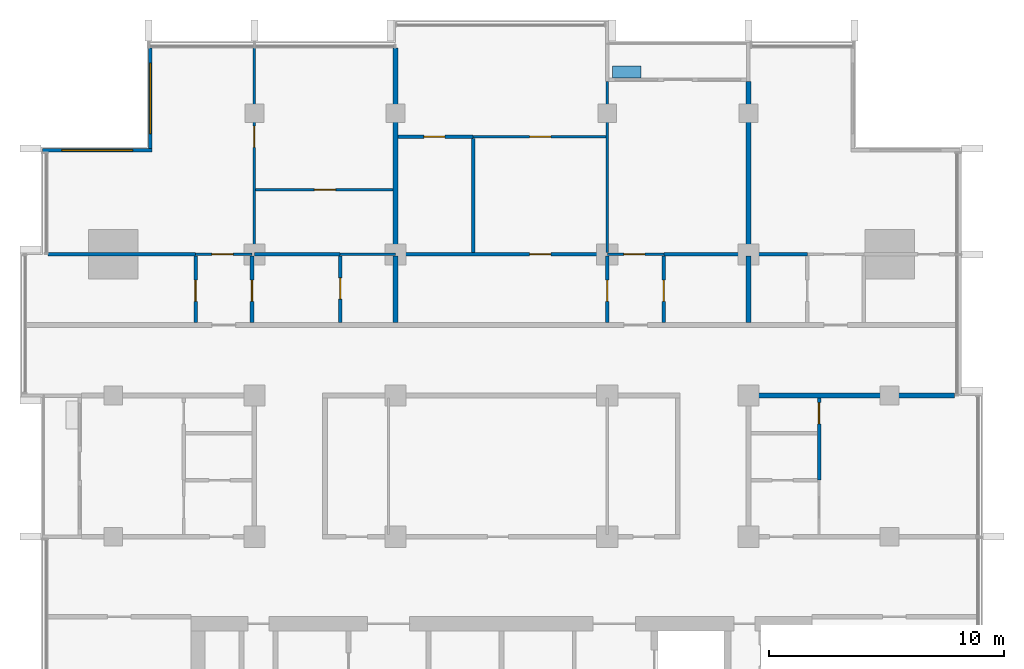
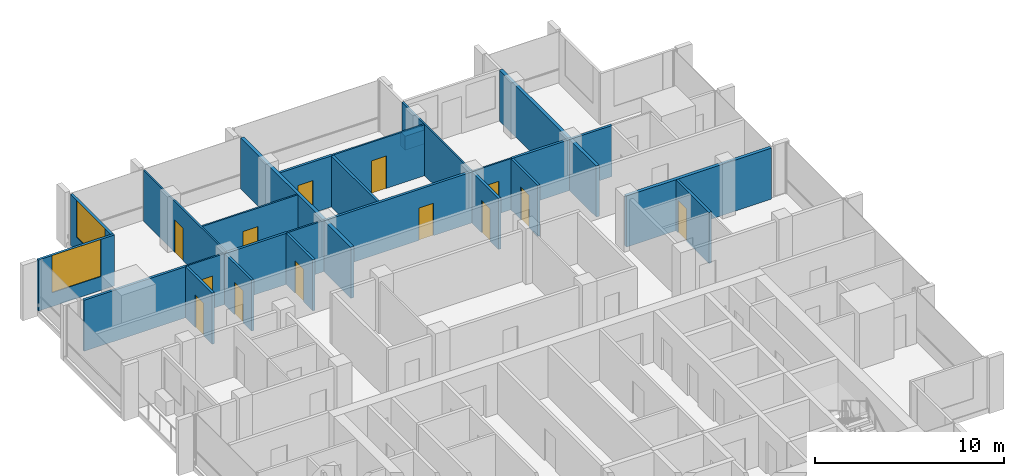
# One storey, part 10 of 16: 27 walls, 13 doors, 2 windows, 15 openings.
"""IFC4 building model written with IfcOpenShell, lengths in metres."""

from ifc_helpers import new_model, si_unit, direction, frame, frame_2d, origin, place, context, subcontext, project, spatial, rectangle, extrude, material, layer, layer_set, type_object, element, fill, save


model = new_model("IFC4")

# Units and contexts
model_context = context("Model", 3, precision=1e-05, world=origin(), true_north=direction((0.0, 1.0)))
body_context = subcontext(model_context, "Body", "Model", "MODEL_VIEW")
ifc_project = project(units=[si_unit("LENGTHUNIT", "METRE"), si_unit("AREAUNIT", "SQUARE_METRE"), si_unit("VOLUMEUNIT", "CUBIC_METRE"), si_unit("PLANEANGLEUNIT", "RADIAN"), si_unit("MASSUNIT", "GRAM", prefix="KILO")], contexts=[model_context])

# Site, building, storey
site_placement = place(None, origin())
site = spatial("IfcSite", under=ifc_project, at=site_placement, CompositionType="ELEMENT")
building_placement = place(site_placement, origin())
building = spatial("IfcBuilding", under=site, at=building_placement, Name="Finial Court Residences", CompositionType="ELEMENT")
storey_placement = place(building_placement, frame((0.0, 0.0, 233.89990234375)))
storey = spatial("IfcBuildingStorey", under=building, at=storey_placement, Name="L59", CompositionType="ELEMENT", Elevation=233.89990234375)

# Walls
ifc_material_1 = material(Name="Gypsum board")
ifc_layer_1 = layer(ifc_material_1, 0.02490234375)
ifc_material_2 = material(Name="Acoustic mineral wool in double frame")
ifc_layer_2 = layer(ifc_material_2, 0.14990234375)
ifc_layer_3 = layer(ifc_material_1, 0.02490234375)
ifc_layer_set_1 = layer_set([ifc_layer_1, ifc_layer_2, ifc_layer_3], Name="Acoustic party wall 200, 1 hour")
wall_type_1 = type_object("IfcWallType", Name="Acoustic party wall 200, 1 hour", PredefinedType="PARTITIONING", material=ifc_layer_set_1)
wall_1_placement = place(storey_placement, frame((-4.5, 4.60009765625, 0.0), z_axis=(0.0, 0.0, 1.0), x_axis=(0.0, 1.0, 0.0)))
element("IfcWall", 1, at=wall_1_placement, inside=storey, type_object=wall_type_1, Name="Partition L59-039", PredefinedType="PARTITIONING", context=body_context, shape_type="SweptSolid", body=[
    extrude(rectangle(XDim=2.824951171875, YDim=0.199951171875, at=frame_2d((1.41259765625, 0.0))), origin(), (0.0, 0.0, 1.0), 3.300048828125),
])
wall_2_placement = place(storey_placement, frame((-4.5, 7.574951171875, 0.0), z_axis=(0.0, 0.0, 1.0), x_axis=(0.0, 1.0, 0.0)))
element("IfcWall", 2, at=wall_2_placement, inside=storey, type_object=wall_type_1, Name="Partition L59-040", PredefinedType="PARTITIONING", context=body_context, shape_type="SweptSolid", body=[
    extrude(rectangle(XDim=8.6875, YDim=0.199951171875, at=frame_2d((4.34375, 0.0))), origin(), (0.0, 0.0, 1.0), 3.300048828125),
])
wall_3_placement = place(storey_placement, frame((10.5, 4.60009765625, 0.0), z_axis=(0.0, 0.0, 1.0), x_axis=(0.0, 1.0, 0.0)))
element("IfcWall", 3, at=wall_3_placement, inside=storey, type_object=wall_type_1, Name="Partition L59-048", PredefinedType="PARTITIONING", context=body_context, shape_type="SweptSolid", body=[
    extrude(rectangle(XDim=2.824951171875, YDim=0.199951171875, at=frame_2d((1.41259765625, 0.0))), origin(), (0.0, 0.0, 1.0), 3.300048828125),
])
wall_4_placement = place(storey_placement, frame((10.5, 7.574951171875, 0.0), z_axis=(0.0, 0.0, 1.0), x_axis=(0.0, 1.0, 0.0)))
element("IfcWall", 4, at=wall_4_placement, inside=storey, type_object=wall_type_1, Name="Partition L59-049", PredefinedType="PARTITIONING", context=body_context, shape_type="SweptSolid", body=[
    extrude(rectangle(XDim=7.275146484375, YDim=0.199951171875, at=frame_2d((3.6376953125, 0.0))), origin(), (0.0, 0.0, 1.0), 3.300048828125),
])
ifc_layer_4 = layer(ifc_material_1, 0.02490234375)
ifc_layer_5 = layer(ifc_material_2, 0.14990234375)
ifc_layer_6 = layer(ifc_material_1, 0.02490234375)
ifc_layer_set_2 = layer_set([ifc_layer_4, ifc_layer_5, ifc_layer_6], Name="Corridor wall 200, 1 hour")
wall_type_2 = type_object("IfcWallType", Name="Corridor wall 200, 1 hour", PredefinedType="PARTITIONING", material=ifc_layer_set_2)
wall_5_placement = place(storey_placement, frame((10.39990234375, 1.5, 0.0), z_axis=(0.0, 0.0, 1.0), x_axis=(1.0, 0.0, 0.0)))
element("IfcWall", 5, at=wall_5_placement, inside=storey, type_object=wall_type_2, Name="Partition L59-015", PredefinedType="PARTITIONING", context=body_context, shape_type="SweptSolid", body=[
    extrude(rectangle(XDim=8.862548828125, YDim=0.199951171875, at=frame_2d((4.43115234375, 0.0))), origin(), (0.0, 0.0, 1.0), 3.300048828125),
])

# Wall, opening, door
ifc_layer_7 = layer(ifc_material_1, 0.012451171875)
ifc_material_3 = material(Name="Mineral wool in light-gauge frame")
ifc_layer_8 = layer(ifc_material_3, 0.074951171875)
ifc_layer_9 = layer(ifc_material_1, 0.012451171875)
ifc_layer_set_3 = layer_set([ifc_layer_7, ifc_layer_8, ifc_layer_9], Name="Gypsum board partition 100")
wall_type_3 = type_object("IfcWallType", Name="Gypsum board partition 100", PredefinedType="PARTITIONING", material=ifc_layer_set_3)
wall_6_placement = place(storey_placement, frame((-13.0, 7.5, 0.0), z_axis=(0.0, 0.0, 1.0), x_axis=(1.0, 0.0, 0.0)))
wall_6 = element("IfcWall", 6, at=wall_6_placement, inside=storey, type_object=wall_type_3, Name="Partition L59-017", PredefinedType="PARTITIONING", context=body_context, shape_type="SweptSolid", body=[
    extrude(rectangle(XDim=2.39990234375, YDim=0.10009765625, at=frame_2d((1.199951171875, 0.0))), origin(), (0.0, 0.0, 1.0), 3.300048828125),
])
opening_1_placement = place(wall_6_placement, frame((0.699951171875, 0.0, 0.0)))
opening_1 = element("IfcOpeningElement", 7, at=opening_1_placement, cuts=wall_6, Name="Opening L59-D019", PredefinedType="OPENING", context=body_context, shape_type="SweptSolid", body=[
    extrude(rectangle(XDim=0.89990234375, YDim=2.10009765625, at=frame_2d((0.449951171875, 1.050048828125))), frame((0.0, 0.06005859375, 0.0), z_axis=(0.0, -1.0, 0.0), x_axis=(1.0, 0.0, 0.0)), (0.0, 0.0, 1.0), 0.1201171875),
])
ifc_material_4 = material(Name="Timber door leaf in timber frame", Category="wood")
door_type = type_object("IfcDoorType", Name="Door set 900 x 2100", OperationType="SINGLE_SWING_LEFT", PredefinedType="DOOR", material=ifc_material_4)
door_1_placement = place(opening_1_placement, origin())
door_1 = element("IfcDoor", 8, at=door_1_placement, inside=storey, type_object=door_type, Name="Door L59-D019", OperationType="SINGLE_SWING_RIGHT", OverallHeight=2.10009765625, OverallWidth=0.89990234375, PredefinedType="DOOR", context=body_context, shape_type="SweptSolid", body=[
    extrude(rectangle(XDim=0.89990234375, YDim=2.10009765625, at=frame_2d((0.449951171875, 1.050048828125))), frame((0.0, 0.02490234375, 0.0), z_axis=(0.0, -1.0, 0.0), x_axis=(1.0, 0.0, 0.0)), (0.0, 0.0, 1.0), 0.050048828125),
])
fill(opening_1, door_1)

# Wall
wall_7_placement = place(storey_placement, frame((-6.85009765625, 7.5, 0.0), z_axis=(0.0, 0.0, 1.0), x_axis=(1.0, 0.0, 0.0)))
element("IfcWall", 9, at=wall_7_placement, inside=storey, type_object=wall_type_3, Name="Partition L59-018", PredefinedType="PARTITIONING", context=body_context, shape_type="SweptSolid", body=[
    extrude(rectangle(XDim=2.35009765625, YDim=0.10009765625, at=frame_2d((1.175048828125, 0.0))), origin(), (0.0, 0.0, 1.0), 3.300048828125),
])

# Wall, opening, door
wall_8_placement = place(storey_placement, frame((4.5, 7.5, 0.0), z_axis=(0.0, 0.0, 1.0), x_axis=(1.0, 0.0, 0.0)))
wall_8 = element("IfcWall", 10, at=wall_8_placement, inside=storey, type_object=wall_type_3, Name="Partition L59-019", PredefinedType="PARTITIONING", context=body_context, shape_type="SweptSolid", body=[
    extrude(rectangle(XDim=2.39990234375, YDim=0.10009765625, at=frame_2d((1.199951171875, 0.0))), origin(), (0.0, 0.0, 1.0), 3.300048828125),
])
opening_2_placement = place(wall_8_placement, frame((0.699951171875, 0.0, 0.0)))
opening_2 = element("IfcOpeningElement", 11, at=opening_2_placement, cuts=wall_8, Name="Opening L59-D020", PredefinedType="OPENING", context=body_context, shape_type="SweptSolid", body=[
    extrude(rectangle(XDim=0.89990234375, YDim=2.10009765625, at=frame_2d((0.449951171875, 1.050048828125))), frame((0.0, 0.06005859375, 0.0), z_axis=(0.0, -1.0, 0.0), x_axis=(1.0, 0.0, 0.0)), (0.0, 0.0, 1.0), 0.1201171875),
])
door_2_placement = place(opening_2_placement, origin())
door_2 = element("IfcDoor", 12, at=door_2_placement, inside=storey, type_object=door_type, Name="Door L59-D020", OperationType="SINGLE_SWING_LEFT", OverallHeight=2.10009765625, OverallWidth=0.89990234375, PredefinedType="DOOR", context=body_context, shape_type="SweptSolid", body=[
    extrude(rectangle(XDim=0.89990234375, YDim=2.10009765625, at=frame_2d((0.449951171875, 1.050048828125))), frame((0.0, 0.02490234375, 0.0), z_axis=(0.0, -1.0, 0.0), x_axis=(1.0, 0.0, 0.0)), (0.0, 0.0, 1.0), 0.050048828125),
])
fill(opening_2, door_2)

wall_9_placement = place(storey_placement, frame((-10.449951171875, 10.25, 0.0), z_axis=(0.0, 0.0, 1.0), x_axis=(1.0, 0.0, 0.0)))
wall_9 = element("IfcWall", 13, at=wall_9_placement, inside=storey, type_object=wall_type_3, Name="Partition L59-026", PredefinedType="PARTITIONING", context=body_context, shape_type="SweptSolid", body=[
    extrude(rectangle(XDim=5.849853515625, YDim=0.10009765625, at=frame_2d((2.9248046875, 0.0))), origin(), (0.0, 0.0, 1.0), 3.300048828125),
])
opening_3_placement = place(wall_9_placement, frame((2.5, 0.0, 0.0)))
opening_3 = element("IfcOpeningElement", 14, at=opening_3_placement, cuts=wall_9, Name="Opening L59-D024", PredefinedType="OPENING", context=body_context, shape_type="SweptSolid", body=[
    extrude(rectangle(XDim=0.89990234375, YDim=2.10009765625, at=frame_2d((0.449951171875, 1.050048828125))), frame((0.0, 0.06005859375, 0.0), z_axis=(0.0, -1.0, 0.0), x_axis=(1.0, 0.0, 0.0)), (0.0, 0.0, 1.0), 0.1201171875),
])
door_3_placement = place(opening_3_placement, origin())
door_3 = element("IfcDoor", 15, at=door_3_placement, inside=storey, type_object=door_type, Name="Door L59-D024", OperationType="SINGLE_SWING_LEFT", OverallHeight=2.10009765625, OverallWidth=0.89990234375, PredefinedType="DOOR", context=body_context, shape_type="SweptSolid", body=[
    extrude(rectangle(XDim=0.89990234375, YDim=2.10009765625, at=frame_2d((0.449951171875, 1.050048828125))), frame((0.0, 0.02490234375, 0.0), z_axis=(0.0, -1.0, 0.0), x_axis=(1.0, 0.0, 0.0)), (0.0, 0.0, 1.0), 0.050048828125),
])
fill(opening_3, door_3)

wall_10_placement = place(storey_placement, frame((-1.199951171875, 12.5, 0.0), z_axis=(0.0, 0.0, 1.0), x_axis=(1.0, 0.0, 0.0)))
wall_10 = element("IfcWall", 16, at=wall_10_placement, inside=storey, type_object=wall_type_3, Name="Partition L59-027", PredefinedType="PARTITIONING", context=body_context, shape_type="SweptSolid", body=[
    extrude(rectangle(XDim=5.64990234375, YDim=0.10009765625, at=frame_2d((2.824951171875, 0.0))), origin(), (0.0, 0.0, 1.0), 3.300048828125),
])
opening_4_placement = place(wall_10_placement, frame((2.39990234375, 0.0, 0.0)))
opening_4 = element("IfcOpeningElement", 17, at=opening_4_placement, cuts=wall_10, Name="Opening L59-D025", PredefinedType="OPENING", context=body_context, shape_type="SweptSolid", body=[
    extrude(rectangle(XDim=0.89990234375, YDim=2.10009765625, at=frame_2d((0.449951171875, 1.050048828125))), frame((0.0, 0.06005859375, 0.0), z_axis=(0.0, -1.0, 0.0), x_axis=(1.0, 0.0, 0.0)), (0.0, 0.0, 1.0), 0.1201171875),
])
door_4_placement = place(opening_4_placement, origin())
door_4 = element("IfcDoor", 18, at=door_4_placement, inside=storey, type_object=door_type, Name="Door L59-D025", OperationType="SINGLE_SWING_RIGHT", OverallHeight=2.10009765625, OverallWidth=0.89990234375, PredefinedType="DOOR", context=body_context, shape_type="SweptSolid", body=[
    extrude(rectangle(XDim=0.89990234375, YDim=2.10009765625, at=frame_2d((0.449951171875, 1.050048828125))), frame((0.0, 0.02490234375, 0.0), z_axis=(0.0, -1.0, 0.0), x_axis=(1.0, 0.0, 0.0)), (0.0, 0.0, 1.0), 0.050048828125),
])
fill(opening_4, door_4)

wall_11_placement = place(storey_placement, frame((-10.5, 7.574951171875, 0.0), z_axis=(0.0, 0.0, 1.0), x_axis=(0.0, 1.0, 0.0)))
wall_11 = element("IfcWall", 19, at=wall_11_placement, inside=storey, type_object=wall_type_3, Name="Partition L59-035", PredefinedType="PARTITIONING", context=body_context, shape_type="SweptSolid", body=[
    extrude(rectangle(XDim=8.6875, YDim=0.10009765625, at=frame_2d((4.34375, 0.0))), origin(), (0.0, 0.0, 1.0), 3.300048828125),
])
opening_5_placement = place(wall_11_placement, frame((4.47509765625, 0.0, 0.0)))
opening_5 = element("IfcOpeningElement", 20, at=opening_5_placement, cuts=wall_11, Name="Opening L59-D031", PredefinedType="OPENING", context=body_context, shape_type="SweptSolid", body=[
    extrude(rectangle(XDim=0.89990234375, YDim=2.10009765625, at=frame_2d((0.449951171875, 1.050048828125))), frame((0.0, 0.06005859375, 0.0), z_axis=(0.0, -1.0, 0.0), x_axis=(1.0, 0.0, 0.0)), (0.0, 0.0, 1.0), 0.1201171875),
])
door_5_placement = place(opening_5_placement, origin())
door_5 = element("IfcDoor", 21, at=door_5_placement, inside=storey, type_object=door_type, Name="Door L59-D031", OperationType="SINGLE_SWING_RIGHT", OverallHeight=2.10009765625, OverallWidth=0.89990234375, PredefinedType="DOOR", context=body_context, shape_type="SweptSolid", body=[
    extrude(rectangle(XDim=0.89990234375, YDim=2.10009765625, at=frame_2d((0.449951171875, 1.050048828125))), frame((0.0, 0.02490234375, 0.0), z_axis=(0.0, -1.0, 0.0), x_axis=(1.0, 0.0, 0.0)), (0.0, 0.0, 1.0), 0.050048828125),
])
fill(opening_5, door_5)

# Walls
wall_12_placement = place(storey_placement, frame((4.5, 7.574951171875, 0.0), z_axis=(0.0, 0.0, 1.0), x_axis=(0.0, 1.0, 0.0)))
element("IfcWall", 22, at=wall_12_placement, inside=storey, type_object=wall_type_3, Name="Partition L59-043", PredefinedType="PARTITIONING", context=body_context, shape_type="SweptSolid", body=[
    extrude(rectangle(XDim=7.275146484375, YDim=0.10009765625, at=frame_2d((3.6376953125, 0.0))), origin(), (0.0, 0.0, 1.0), 3.300048828125),
])
ifc_material_5 = material(Name="Moisture-resistant gypsum board")
ifc_layer_10 = layer(ifc_material_5, 0.012451171875)
ifc_layer_11 = layer(ifc_material_3, 0.125)
ifc_layer_12 = layer(ifc_material_5, 0.012451171875)
ifc_layer_set_4 = layer_set([ifc_layer_10, ifc_layer_11, ifc_layer_12], Name="Gypsum board wet-area partition 150")
wall_type_4 = type_object("IfcWallType", Name="Gypsum board wet-area partition 150", PredefinedType="PARTITIONING", material=ifc_layer_set_4)
wall_13_placement = place(storey_placement, frame((-19.262451171875, 7.5, 0.0), z_axis=(0.0, 0.0, 1.0), x_axis=(1.0, 0.0, 0.0)))
element("IfcWall", 23, at=wall_13_placement, inside=storey, type_object=wall_type_4, Name="Partition L59-021", PredefinedType="PARTITIONING", context=body_context, shape_type="SweptSolid", body=[
    extrude(rectangle(XDim=6.262451171875, YDim=0.14990234375, at=frame_2d((3.13134765625, 0.0))), origin(), (0.0, 0.0, 1.0), 3.300048828125),
])
wall_14_placement = place(storey_placement, frame((-10.5, 7.5, 0.0), z_axis=(0.0, 0.0, 1.0), x_axis=(1.0, 0.0, 0.0)))
element("IfcWall", 24, at=wall_14_placement, inside=storey, type_object=wall_type_4, Name="Partition L59-022", PredefinedType="PARTITIONING", context=body_context, shape_type="SweptSolid", body=[
    extrude(rectangle(XDim=3.64990234375, YDim=0.14990234375, at=frame_2d((1.824951171875, 0.0))), origin(), (0.0, 0.0, 1.0), 3.300048828125),
])

# Wall, opening, door
wall_15_placement = place(storey_placement, frame((-4.5, 7.5, 0.0), z_axis=(0.0, 0.0, 1.0), x_axis=(1.0, 0.0, 0.0)))
wall_15 = element("IfcWall", 25, at=wall_15_placement, inside=storey, type_object=wall_type_4, Name="Partition L59-023", PredefinedType="PARTITIONING", context=body_context, shape_type="SweptSolid", body=[
    extrude(rectangle(XDim=9.0, YDim=0.14990234375, at=frame_2d((4.5, 0.0))), origin(), (0.0, 0.0, 1.0), 3.300048828125),
])
opening_6_placement = place(wall_15_placement, frame((5.699951171875, 0.0, 0.0)))
opening_6 = element("IfcOpeningElement", 26, at=opening_6_placement, cuts=wall_15, Name="Opening L59-D022", PredefinedType="OPENING", context=body_context, shape_type="SweptSolid", body=[
    extrude(rectangle(XDim=0.89990234375, YDim=2.10009765625, at=frame_2d((0.449951171875, 1.050048828125))), frame((0.0, 0.0849609375, 0.0), z_axis=(0.0, -1.0, 0.0), x_axis=(1.0, 0.0, 0.0)), (0.0, 0.0, 1.0), 0.169921875),
])
door_6_placement = place(opening_6_placement, origin())
door_6 = element("IfcDoor", 27, at=door_6_placement, inside=storey, type_object=door_type, Name="Door L59-D022", OperationType="SINGLE_SWING_LEFT", OverallHeight=2.10009765625, OverallWidth=0.89990234375, PredefinedType="DOOR", context=body_context, shape_type="SweptSolid", body=[
    extrude(rectangle(XDim=0.89990234375, YDim=2.10009765625, at=frame_2d((0.449951171875, 1.050048828125))), frame((0.0, 0.02490234375, 0.0), z_axis=(0.0, -1.0, 0.0), x_axis=(1.0, 0.0, 0.0)), (0.0, 0.0, 1.0), 0.050048828125),
])
fill(opening_6, door_6)

# Wall
wall_16_placement = place(storey_placement, frame((6.89990234375, 7.5, 0.0), z_axis=(0.0, 0.0, 1.0), x_axis=(1.0, 0.0, 0.0)))
element("IfcWall", 28, at=wall_16_placement, inside=storey, type_object=wall_type_4, Name="Partition L59-024", PredefinedType="PARTITIONING", context=body_context, shape_type="SweptSolid", body=[
    extrude(rectangle(XDim=6.10009765625, YDim=0.14990234375, at=frame_2d((3.050048828125, 0.0))), origin(), (0.0, 0.0, 1.0), 3.300048828125),
])

# Wall, opening, door
wall_17_placement = place(storey_placement, frame((-4.39990234375, 12.5, 0.0), z_axis=(0.0, 0.0, 1.0), x_axis=(1.0, 0.0, 0.0)))
wall_17 = element("IfcWall", 29, at=wall_17_placement, inside=storey, type_object=wall_type_4, Name="Partition L59-028", PredefinedType="PARTITIONING", context=body_context, shape_type="SweptSolid", body=[
    extrude(rectangle(XDim=3.199951171875, YDim=0.14990234375, at=frame_2d((1.60009765625, 0.0))), origin(), (0.0, 0.0, 1.0), 3.300048828125),
])
opening_7_placement = place(wall_17_placement, frame((1.10009765625, 0.0, 0.0)))
opening_7 = element("IfcOpeningElement", 30, at=opening_7_placement, cuts=wall_17, Name="Opening L59-D026", PredefinedType="OPENING", context=body_context, shape_type="SweptSolid", body=[
    extrude(rectangle(XDim=0.89990234375, YDim=2.10009765625, at=frame_2d((0.449951171875, 1.050048828125))), frame((0.0, 0.0849609375, 0.0), z_axis=(0.0, -1.0, 0.0), x_axis=(1.0, 0.0, 0.0)), (0.0, 0.0, 1.0), 0.169921875),
])
door_7_placement = place(opening_7_placement, origin())
door_7 = element("IfcDoor", 31, at=door_7_placement, inside=storey, type_object=door_type, Name="Door L59-D026", OperationType="SINGLE_SWING_RIGHT", OverallHeight=2.10009765625, OverallWidth=0.89990234375, PredefinedType="DOOR", context=body_context, shape_type="SweptSolid", body=[
    extrude(rectangle(XDim=0.89990234375, YDim=2.10009765625, at=frame_2d((0.449951171875, 1.050048828125))), frame((0.0, 0.02490234375, 0.0), z_axis=(0.0, -1.0, 0.0), x_axis=(1.0, 0.0, 0.0)), (0.0, 0.0, 1.0), 0.050048828125),
])
fill(opening_7, door_7)

wall_18_placement = place(storey_placement, frame((-13.0, 4.60009765625, 0.0), z_axis=(0.0, 0.0, 1.0), x_axis=(0.0, 1.0, 0.0)))
wall_18 = element("IfcWall", 32, at=wall_18_placement, inside=storey, type_object=wall_type_4, Name="Partition L59-032", PredefinedType="PARTITIONING", context=body_context, shape_type="SweptSolid", body=[
    extrude(rectangle(XDim=2.824951171875, YDim=0.14990234375, at=frame_2d((1.41259765625, 0.0))), origin(), (0.0, 0.0, 1.0), 3.300048828125),
])
opening_8_placement = place(wall_18_placement, frame((0.89990234375, 0.0, 0.0)))
opening_8 = element("IfcOpeningElement", 33, at=opening_8_placement, cuts=wall_18, Name="Opening L59-D029", PredefinedType="OPENING", context=body_context, shape_type="SweptSolid", body=[
    extrude(rectangle(XDim=0.89990234375, YDim=2.10009765625, at=frame_2d((0.449951171875, 1.050048828125))), frame((0.0, 0.0849609375, 0.0), z_axis=(0.0, -1.0, 0.0), x_axis=(1.0, 0.0, 0.0)), (0.0, 0.0, 1.0), 0.169921875),
])
door_8_placement = place(opening_8_placement, origin())
door_8 = element("IfcDoor", 34, at=door_8_placement, inside=storey, type_object=door_type, Name="Door L59-D029", OperationType="SINGLE_SWING_LEFT", OverallHeight=2.10009765625, OverallWidth=0.89990234375, PredefinedType="DOOR", context=body_context, shape_type="SweptSolid", body=[
    extrude(rectangle(XDim=0.89990234375, YDim=2.10009765625, at=frame_2d((0.449951171875, 1.050048828125))), frame((0.0, 0.02490234375, 0.0), z_axis=(0.0, -1.0, 0.0), x_axis=(1.0, 0.0, 0.0)), (0.0, 0.0, 1.0), 0.050048828125),
])
fill(opening_8, door_8)

wall_19_placement = place(storey_placement, frame((-10.60009765625, 4.60009765625, 0.0), z_axis=(0.0, 0.0, 1.0), x_axis=(0.0, 1.0, 0.0)))
wall_19 = element("IfcWall", 35, at=wall_19_placement, inside=storey, type_object=wall_type_4, Name="Partition L59-033", PredefinedType="PARTITIONING", context=body_context, shape_type="SweptSolid", body=[
    extrude(rectangle(XDim=2.824951171875, YDim=0.14990234375, at=frame_2d((1.41259765625, 0.0))), origin(), (0.0, 0.0, 1.0), 3.300048828125),
])
opening_9_placement = place(wall_19_placement, frame((0.89990234375, 0.0, 0.0)))
opening_9 = element("IfcOpeningElement", 36, at=opening_9_placement, cuts=wall_19, Name="Opening L59-D030", PredefinedType="OPENING", context=body_context, shape_type="SweptSolid", body=[
    extrude(rectangle(XDim=0.89990234375, YDim=2.10009765625, at=frame_2d((0.449951171875, 1.050048828125))), frame((0.0, 0.0849609375, 0.0), z_axis=(0.0, -1.0, 0.0), x_axis=(1.0, 0.0, 0.0)), (0.0, 0.0, 1.0), 0.169921875),
])
door_9_placement = place(opening_9_placement, origin())
door_9 = element("IfcDoor", 37, at=door_9_placement, inside=storey, type_object=door_type, Name="Door L59-D030", OperationType="SINGLE_SWING_RIGHT", OverallHeight=2.10009765625, OverallWidth=0.89990234375, PredefinedType="DOOR", context=body_context, shape_type="SweptSolid", body=[
    extrude(rectangle(XDim=0.89990234375, YDim=2.10009765625, at=frame_2d((0.449951171875, 1.050048828125))), frame((0.0, 0.02490234375, 0.0), z_axis=(0.0, -1.0, 0.0), x_axis=(1.0, 0.0, 0.0)), (0.0, 0.0, 1.0), 0.050048828125),
])
fill(opening_9, door_9)

wall_20_placement = place(storey_placement, frame((-6.85009765625, 4.60009765625, 0.0), z_axis=(0.0, 0.0, 1.0), x_axis=(0.0, 1.0, 0.0)))
wall_20 = element("IfcWall", 38, at=wall_20_placement, inside=storey, type_object=wall_type_4, Name="Partition L59-037", PredefinedType="PARTITIONING", context=body_context, shape_type="SweptSolid", body=[
    extrude(rectangle(XDim=2.824951171875, YDim=0.14990234375, at=frame_2d((1.41259765625, 0.0))), origin(), (0.0, 0.0, 1.0), 3.300048828125),
])
opening_10_placement = place(wall_20_placement, frame((1.0, 0.0, 0.0)))
opening_10 = element("IfcOpeningElement", 39, at=opening_10_placement, cuts=wall_20, Name="Opening L59-D032", PredefinedType="OPENING", context=body_context, shape_type="SweptSolid", body=[
    extrude(rectangle(XDim=0.89990234375, YDim=2.10009765625, at=frame_2d((0.449951171875, 1.050048828125))), frame((0.0, 0.0849609375, 0.0), z_axis=(0.0, -1.0, 0.0), x_axis=(1.0, 0.0, 0.0)), (0.0, 0.0, 1.0), 0.169921875),
])
door_10_placement = place(opening_10_placement, origin())
door_10 = element("IfcDoor", 40, at=door_10_placement, inside=storey, type_object=door_type, Name="Door L59-D032", OperationType="SINGLE_SWING_RIGHT", OverallHeight=2.10009765625, OverallWidth=0.89990234375, PredefinedType="DOOR", context=body_context, shape_type="SweptSolid", body=[
    extrude(rectangle(XDim=0.89990234375, YDim=2.10009765625, at=frame_2d((0.449951171875, 1.050048828125))), frame((0.0, 0.02490234375, 0.0), z_axis=(0.0, -1.0, 0.0), x_axis=(1.0, 0.0, 0.0)), (0.0, 0.0, 1.0), 0.050048828125),
])
fill(opening_10, door_10)

# Wall
wall_21_placement = place(storey_placement, frame((-1.199951171875, 7.574951171875, 0.0), z_axis=(0.0, 0.0, 1.0), x_axis=(0.0, 1.0, 0.0)))
element("IfcWall", 41, at=wall_21_placement, inside=storey, type_object=wall_type_4, Name="Partition L59-041", PredefinedType="PARTITIONING", context=body_context, shape_type="SweptSolid", body=[
    extrude(rectangle(XDim=4.85009765625, YDim=0.14990234375, at=frame_2d((2.425048828125, 0.0))), origin(), (0.0, 0.0, 1.0), 3.300048828125),
])

# Wall, opening, door
wall_22_placement = place(storey_placement, frame((4.5, 4.60009765625, 0.0), z_axis=(0.0, 0.0, 1.0), x_axis=(0.0, 1.0, 0.0)))
wall_22 = element("IfcWall", 42, at=wall_22_placement, inside=storey, type_object=wall_type_4, Name="Partition L59-044", PredefinedType="PARTITIONING", context=body_context, shape_type="SweptSolid", body=[
    extrude(rectangle(XDim=2.824951171875, YDim=0.14990234375, at=frame_2d((1.41259765625, 0.0))), origin(), (0.0, 0.0, 1.0), 3.300048828125),
])
opening_11_placement = place(wall_22_placement, frame((0.89990234375, 0.0, 0.0)))
opening_11 = element("IfcOpeningElement", 43, at=opening_11_placement, cuts=wall_22, Name="Opening L59-D033", PredefinedType="OPENING", context=body_context, shape_type="SweptSolid", body=[
    extrude(rectangle(XDim=0.89990234375, YDim=2.10009765625, at=frame_2d((0.449951171875, 1.050048828125))), frame((0.0, 0.0849609375, 0.0), z_axis=(0.0, -1.0, 0.0), x_axis=(1.0, 0.0, 0.0)), (0.0, 0.0, 1.0), 0.169921875),
])
door_11_placement = place(opening_11_placement, origin())
door_11 = element("IfcDoor", 44, at=door_11_placement, inside=storey, type_object=door_type, Name="Door L59-D033", OperationType="SINGLE_SWING_LEFT", OverallHeight=2.10009765625, OverallWidth=0.89990234375, PredefinedType="DOOR", context=body_context, shape_type="SweptSolid", body=[
    extrude(rectangle(XDim=0.89990234375, YDim=2.10009765625, at=frame_2d((0.449951171875, 1.050048828125))), frame((0.0, 0.02490234375, 0.0), z_axis=(0.0, -1.0, 0.0), x_axis=(1.0, 0.0, 0.0)), (0.0, 0.0, 1.0), 0.050048828125),
])
fill(opening_11, door_11)

wall_23_placement = place(storey_placement, frame((6.89990234375, 4.60009765625, 0.0), z_axis=(0.0, 0.0, 1.0), x_axis=(0.0, 1.0, 0.0)))
wall_23 = element("IfcWall", 45, at=wall_23_placement, inside=storey, type_object=wall_type_4, Name="Partition L59-045", PredefinedType="PARTITIONING", context=body_context, shape_type="SweptSolid", body=[
    extrude(rectangle(XDim=2.824951171875, YDim=0.14990234375, at=frame_2d((1.41259765625, 0.0))), origin(), (0.0, 0.0, 1.0), 3.300048828125),
])
opening_12_placement = place(wall_23_placement, frame((0.89990234375, 0.0, 0.0)))
opening_12 = element("IfcOpeningElement", 46, at=opening_12_placement, cuts=wall_23, Name="Opening L59-D034", PredefinedType="OPENING", context=body_context, shape_type="SweptSolid", body=[
    extrude(rectangle(XDim=0.89990234375, YDim=2.10009765625, at=frame_2d((0.449951171875, 1.050048828125))), frame((0.0, 0.0849609375, 0.0), z_axis=(0.0, -1.0, 0.0), x_axis=(1.0, 0.0, 0.0)), (0.0, 0.0, 1.0), 0.169921875),
])
door_12_placement = place(opening_12_placement, origin())
door_12 = element("IfcDoor", 47, at=door_12_placement, inside=storey, type_object=door_type, Name="Door L59-D034", OperationType="SINGLE_SWING_LEFT", OverallHeight=2.10009765625, OverallWidth=0.89990234375, PredefinedType="DOOR", context=body_context, shape_type="SweptSolid", body=[
    extrude(rectangle(XDim=0.89990234375, YDim=2.10009765625, at=frame_2d((0.449951171875, 1.050048828125))), frame((0.0, 0.02490234375, 0.0), z_axis=(0.0, -1.0, 0.0), x_axis=(1.0, 0.0, 0.0)), (0.0, 0.0, 1.0), 0.050048828125),
])
fill(opening_12, door_12)

wall_24_placement = place(storey_placement, frame((13.5, -2.10009765625, 0.0), z_axis=(0.0, 0.0, 1.0), x_axis=(0.0, 1.0, 0.0)))
wall_24 = element("IfcWall", 48, at=wall_24_placement, inside=storey, type_object=wall_type_4, Name="Partition L59-052", PredefinedType="PARTITIONING", context=body_context, shape_type="SweptSolid", body=[
    extrude(rectangle(XDim=3.5, YDim=0.14990234375, at=frame_2d((1.75, 0.0))), origin(), (0.0, 0.0, 1.0), 3.300048828125),
])
opening_13_placement = place(wall_24_placement, frame((2.39990234375, 0.0, 0.0)))
opening_13 = element("IfcOpeningElement", 49, at=opening_13_placement, cuts=wall_24, Name="Opening L59-D037", PredefinedType="OPENING", context=body_context, shape_type="SweptSolid", body=[
    extrude(rectangle(XDim=0.89990234375, YDim=2.10009765625, at=frame_2d((0.449951171875, 1.050048828125))), frame((0.0, 0.0849609375, 0.0), z_axis=(0.0, -1.0, 0.0), x_axis=(1.0, 0.0, 0.0)), (0.0, 0.0, 1.0), 0.169921875),
])
door_13_placement = place(opening_13_placement, origin())
door_13 = element("IfcDoor", 50, at=door_13_placement, inside=storey, type_object=door_type, Name="Door L59-D037", OperationType="SINGLE_SWING_LEFT", OverallHeight=2.10009765625, OverallWidth=0.89990234375, PredefinedType="DOOR", context=body_context, shape_type="SweptSolid", body=[
    extrude(rectangle(XDim=0.89990234375, YDim=2.10009765625, at=frame_2d((0.449951171875, 1.050048828125))), frame((0.0, 0.02490234375, 0.0), z_axis=(0.0, -1.0, 0.0), x_axis=(1.0, 0.0, 0.0)), (0.0, 0.0, 1.0), 0.050048828125),
])
fill(opening_13, door_13)

# Wall, opening, window
ifc_material_6 = material(Name="Natural limestone", Category="masonry")
ifc_layer_13 = layer(ifc_material_6, 0.14990234375)
ifc_layer_set_5 = layer_set([ifc_layer_13], Name="Limestone clad wall 150")
wall_type_5 = type_object("IfcWallType", Name="Limestone clad wall 150", PredefinedType="SOLIDWALL", material=ifc_layer_set_5)
wall_25_placement = place(storey_placement, frame((-14.925048828125, 12.0, 0.0), z_axis=(0.0, 0.0, 1.0), x_axis=(0.0, 1.0, 0.0)))
wall_25 = element("IfcWall", 51, at=wall_25_placement, inside=storey, type_object=wall_type_5, Name="E-L59-NWW17", PredefinedType="SOLIDWALL", context=body_context, shape_type="SweptSolid", body=[
    extrude(rectangle(XDim=4.262451171875, YDim=0.14990234375, at=frame_2d((2.13134765625, 0.0))), origin(), (0.0, 0.0, 1.0), 3.300048828125),
])
opening_14_placement = place(wall_25_placement, frame((0.631103515625, 0.0, 0.89990234375)))
opening_14 = element("IfcOpeningElement", 52, at=opening_14_placement, cuts=wall_25, Name="Opening WE59-05", PredefinedType="OPENING", context=body_context, shape_type="SweptSolid", body=[
    extrude(rectangle(XDim=3.0, YDim=2.39990234375, at=frame_2d((1.5, 1.199951171875))), frame((0.0, 0.0849609375, 0.0), z_axis=(0.0, -1.0, 0.0), x_axis=(1.0, 0.0, 0.0)), (0.0, 0.0, 1.0), 0.169921875),
])
ifc_material_7 = material(Name="Clear low-e glass", Category="glass")
window_type = type_object("IfcWindowType", Name="Corner window 3000 x 2400", PartitioningType="SINGLE_PANEL", PredefinedType="WINDOW", material=ifc_material_7)
window_1_placement = place(opening_14_placement, origin())
window_1 = element("IfcWindow", 53, at=window_1_placement, inside=storey, type_object=window_type, Name="E-L59-NWW17-W1", OverallHeight=2.39990234375, OverallWidth=3.0, PartitioningType="SINGLE_PANEL", PredefinedType="WINDOW", context=body_context, shape_type="SweptSolid", body=[
    extrude(rectangle(XDim=3.0, YDim=2.39990234375, at=frame_2d((1.5, 1.199951171875))), frame((0.0, 0.030029296875, 0.0), z_axis=(0.0, -1.0, 0.0), x_axis=(1.0, 0.0, 0.0)), (0.0, 0.0, 1.0), 0.06005859375),
])
fill(opening_14, window_1)

wall_26_placement = place(storey_placement, frame((-19.5, 11.925048828125, 0.0), z_axis=(0.0, 0.0, 1.0), x_axis=(1.0, 0.0, 0.0)))
wall_26 = element("IfcWall", 54, at=wall_26_placement, inside=storey, type_object=wall_type_5, Name="E-L59-NWN18", PredefinedType="SOLIDWALL", context=body_context, shape_type="SweptSolid", body=[
    extrude(rectangle(XDim=4.64990234375, YDim=0.14990234375, at=frame_2d((2.324951171875, 0.0))), origin(), (0.0, 0.0, 1.0), 3.300048828125),
])
opening_15_placement = place(wall_26_placement, frame((0.824951171875, 0.0, 0.89990234375)))
opening_15 = element("IfcOpeningElement", 55, at=opening_15_placement, cuts=wall_26, Name="Opening WE59-06", PredefinedType="OPENING", context=body_context, shape_type="SweptSolid", body=[
    extrude(rectangle(XDim=3.0, YDim=2.39990234375, at=frame_2d((1.5, 1.199951171875))), frame((0.0, 0.0849609375, 0.0), z_axis=(0.0, -1.0, 0.0), x_axis=(1.0, 0.0, 0.0)), (0.0, 0.0, 1.0), 0.169921875),
])
window_2_placement = place(opening_15_placement, origin())
window_2 = element("IfcWindow", 56, at=window_2_placement, inside=storey, type_object=window_type, Name="E-L59-NWN18-W1", OverallHeight=2.39990234375, OverallWidth=3.0, PartitioningType="SINGLE_PANEL", PredefinedType="WINDOW", context=body_context, shape_type="SweptSolid", body=[
    extrude(rectangle(XDim=3.0, YDim=2.39990234375, at=frame_2d((1.5, 1.199951171875))), frame((0.0, 0.030029296875, 0.0), z_axis=(0.0, -1.0, 0.0), x_axis=(1.0, 0.0, 0.0)), (0.0, 0.0, 1.0), 0.06005859375),
])
fill(opening_15, window_2)

# Wall
ifc_material_8 = material(Name="Concrete C40/50", Category="concrete")
ifc_layer_14 = layer(ifc_material_8, 0.10009765625)
ifc_material_9 = material(Name="Planting soil", Category="soil")
ifc_layer_15 = layer(ifc_material_9, 0.300048828125)
ifc_layer_16 = layer(ifc_material_8, 0.10009765625)
ifc_layer_set_6 = layer_set([ifc_layer_14, ifc_layer_15, ifc_layer_16], Name="Planter wall, balcony")
wall_type_6 = type_object("IfcWallType", Name="Planter wall, balcony", PredefinedType="USERDEFINED", material=ifc_layer_set_6)
wall_27_placement = place(storey_placement, frame((4.72509765625, 15.25, 0.0), z_axis=(0.0, 0.0, 1.0), x_axis=(1.0, 0.0, 0.0)))
element("IfcWall", 57, at=wall_27_placement, inside=storey, type_object=wall_type_6, Name="E-L59-BALN4-PL", ObjectType="PLANTER", PredefinedType="USERDEFINED", context=body_context, shape_type="SweptSolid", body=[
    extrude(rectangle(XDim=1.199951171875, YDim=0.5, at=frame_2d((0.60009765625, 0.0))), origin(), (0.0, 0.0, 1.0), 0.900146484375),
])

save(model, "model.ifc")
